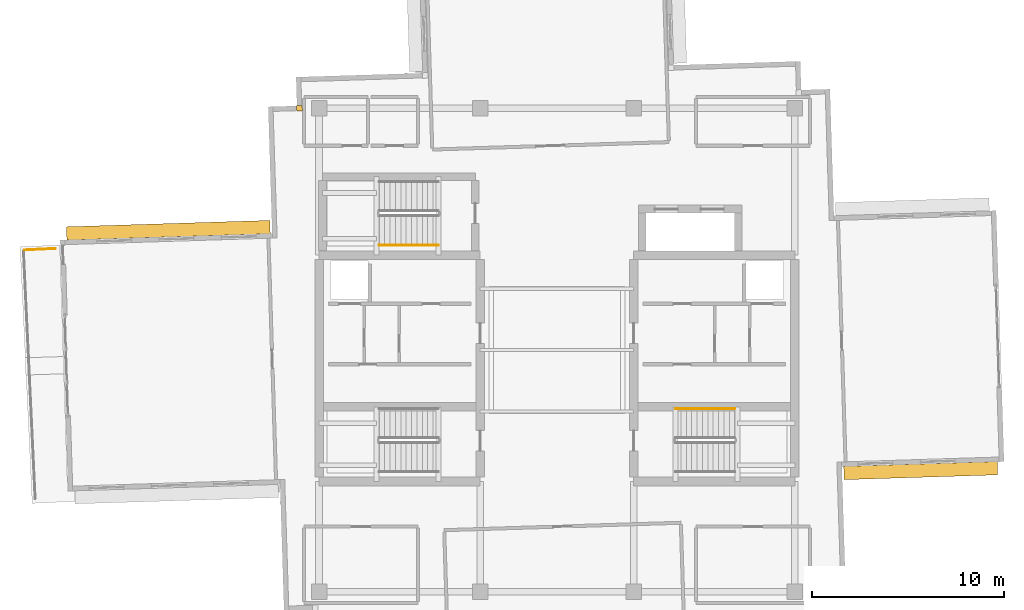
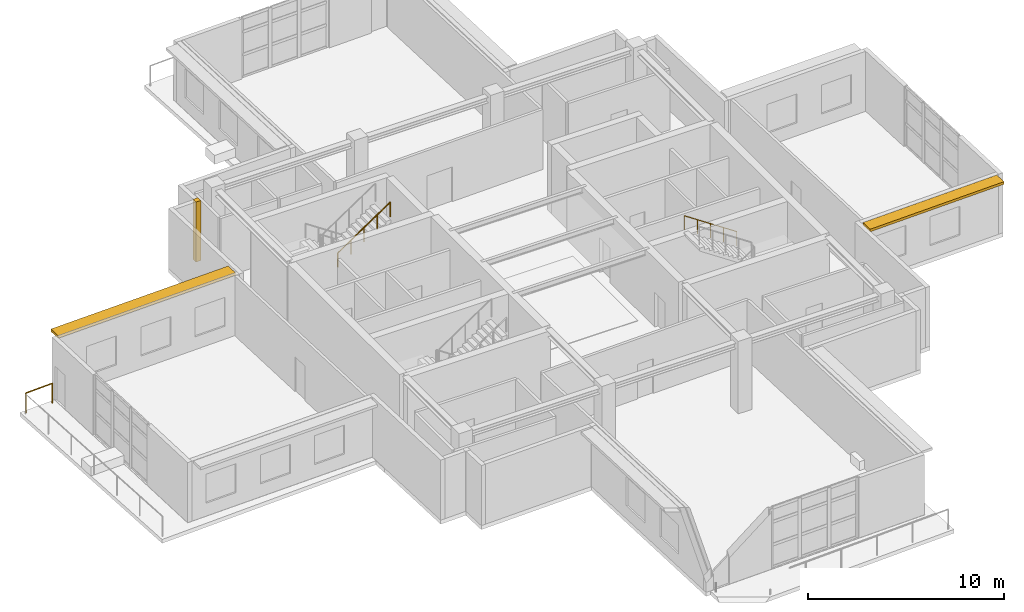
# One storey, part 16 of 18: 3 railings, 2 shading devices, 1 covering.
"""IFC4 building model written with IfcOpenShell, lengths in metres."""

from ifc_helpers import new_model, si_unit, direction, frame, origin, origin_2d, place, context, subcontext, project, spatial, rectangle, circle, extrude, material, layer, layer_set, type_object, element, save


model = new_model("IFC4")

# Units and contexts
model_context = context("Model", 3, precision=1e-05, world=origin(), true_north=direction((0.0, 1.0)))
body_context = subcontext(model_context, "Body", "Model", "MODEL_VIEW")
ifc_project = project(units=[si_unit("LENGTHUNIT", "METRE"), si_unit("AREAUNIT", "SQUARE_METRE"), si_unit("VOLUMEUNIT", "CUBIC_METRE"), si_unit("PLANEANGLEUNIT", "RADIAN"), si_unit("MASSUNIT", "GRAM", prefix="KILO")], contexts=[model_context])

# Site, building, storey
site_placement = place(None, origin())
site = spatial("IfcSite", under=ifc_project, at=site_placement, CompositionType="ELEMENT")
building_placement = place(site_placement, origin())
building = spatial("IfcBuilding", under=site, at=building_placement, Name="Qingluan Cross Belvedere", CompositionType="ELEMENT")
storey_placement = place(building_placement, frame((0.0, 0.0, 299.39990234375)))
storey = spatial("IfcBuildingStorey", under=building, at=storey_placement, Name="L74", CompositionType="ELEMENT", Elevation=299.39990234375)

# Covering
ifc_material_1 = material(Name="Precast concrete C45", Category="concrete")
ifc_layer_1 = layer(ifc_material_1, 0.1201171875, Name="ConcreteSpandrelCladding_120")
ifc_layer_set_1 = layer_set([ifc_layer_1], Name="Precast concrete C45")
covering_type = type_object("IfcCoveringType", Name="ConcreteSpandrelCladding_120", PredefinedType="CLADDING", material=ifc_layer_set_1)
covering_placement = place(storey_placement, frame((-13.422607421875, 12.6044921875, 0.0), z_axis=(0.0, 0.0, 1.0), x_axis=(0.999506560366, 0.031410759078, 0.0)))
element("IfcCovering", 1, at=covering_placement, inside=storey, type_object=covering_type, Name="Corner closure L74-NW1", PredefinedType="CLADDING", context=body_context, shape_type="SweptSolid", body=[
    extrude(rectangle(XDim=0.2900390625, YDim=0.2900390625, at=origin_2d()), origin(), (0.0, 0.0, 1.0), 3.72998046875),
])

# Shading devices
ifc_material_2 = material(Name="Precast concrete C45", Category="concrete")
ifc_layer_2 = layer(ifc_material_2, 0.139892578125, Name="ConcreteSunshadeBand_700")
ifc_layer_set_2 = layer_set([ifc_layer_2], Name="Precast concrete C45")
shading_device_type = type_object("IfcShadingDeviceType", Name="ConcreteSunshadeBand_700", PredefinedType="USERDEFINED", material=ifc_layer_set_2)
shading_device_1_placement = place(storey_placement, frame((18.956787109375, -6.28271484375, 3.55029296875), z_axis=(0.0, 0.0, 1.0), x_axis=(0.999506498947, 0.031412713388, 0.0)))
element("IfcShadingDevice", 2, at=shading_device_1_placement, inside=storey, type_object=shading_device_type, Name="Concrete SUNSHADE L74-EA", ObjectType="SUNSHADE", PredefinedType="USERDEFINED", context=body_context, shape_type="SweptSolid", body=[
    extrude(rectangle(XDim=8.010009765625, YDim=0.699951171875, at=origin_2d()), origin(), (0.0, 0.0, 1.0), 0.159912109375),
])
shading_device_2_placement = place(storey_placement, frame((-20.256103515625, 6.24169921875, 3.55029296875), z_axis=(0.0, 0.0, 1.0), x_axis=(-0.999506709567, -0.031406011072, 0.0)))
element("IfcShadingDevice", 3, at=shading_device_2_placement, inside=storey, type_object=shading_device_type, Name="Concrete SUNSHADE L74-WA", ObjectType="SUNSHADE", PredefinedType="USERDEFINED", context=body_context, shape_type="SweptSolid", body=[
    extrude(rectangle(XDim=10.610107421875, YDim=0.699951171875, at=origin_2d()), origin(), (0.0, 0.0, 1.0), 0.159912109375),
])

# Railings
ifc_material_3 = material(Name="Laminated safety glass and stainless steel balustrade", Category="steel")
railing_type_1 = type_object("IfcRailingType", Name="ObservationGuardBalustrade_1250", PredefinedType="BALUSTRADE", material=ifc_material_3)
railing_1_placement = place(storey_placement, frame((-27.741455078125, 5.214111328125, 0.0)))
element("IfcRailing", 4, at=railing_1_placement, inside=storey, type_object=railing_type_1, Name="Terrace guard L74-2", PredefinedType="BALUSTRADE", context=body_context, shape_type="SweptSolid", body=[
    extrude(circle(Radius=0.02392578125, at=origin_2d()), frame((0.0, 0.0, 1.22607421875), z_axis=(0.998894231924, 0.047013970573, 0.0), x_axis=(-0.047013970573, 0.998894231924, 0.0)), (0.0, 0.0, 1.0), 1.599365234375),
    extrude(circle(Radius=0.02099609375, at=origin_2d()), origin(), (0.0, 0.0, 1.0), 1.201904296875),
    extrude(circle(Radius=0.02099609375, at=origin_2d()), frame((1.59765625, 0.0751953125, 0.0)), (0.0, 0.0, 1.0), 1.201904296875),
])
ifc_material_4 = material(Name="Brushed stainless steel tubular handrail", Category="steel")
railing_type_2 = type_object("IfcRailingType", Name="StairPitchHandrail_900", PredefinedType="HANDRAIL", material=ifc_material_4)
railing_2_placement = place(storey_placement, frame((9.260009765625, -3.050048828125, 2.4375)))
element("IfcRailing", 5, at=railing_2_placement, inside=storey, type_object=railing_type_2, Name="L74 ST2 stair handrail 2", PredefinedType="HANDRAIL", context=body_context, shape_type="SweptSolid", body=[
    extrude(circle(Radius=0.02392578125, at=origin_2d()), frame((0.0, 0.0, 0.8759765625), z_axis=(-0.830913701846, 0.0, 0.55640131208), x_axis=(0.0, -1.0, 0.0)), (0.0, 0.0, 1.0), 3.706787109375),
    extrude(circle(Radius=0.02099609375, at=origin_2d()), origin(), (0.0, 0.0, 1.0), 0.851806640625),
    extrude(circle(Radius=0.02099609375, at=origin_2d()), frame((-0.77001953125, 0.0, 0.515625)), (0.0, 0.0, 1.0), 0.851806640625),
    extrude(circle(Radius=0.02099609375, at=origin_2d()), frame((-1.5400390625, 0.0, 1.03125)), (0.0, 0.0, 1.0), 0.851806640625),
    extrude(circle(Radius=0.02099609375, at=origin_2d()), frame((-2.31005859375, 0.0, 1.546875)), (0.0, 0.0, 1.0), 0.851806640625),
    extrude(circle(Radius=0.02099609375, at=origin_2d()), frame((-3.080078125, 0.0, 2.0625)), (0.0, 0.0, 1.0), 0.851806640625),
])
railing_3_placement = place(storey_placement, frame((-9.260009765625, 5.469970703125, 2.4375)))
element("IfcRailing", 6, at=railing_3_placement, inside=storey, type_object=railing_type_2, Name="L74 ST3 stair handrail 2", PredefinedType="HANDRAIL", context=body_context, shape_type="SweptSolid", body=[
    extrude(circle(Radius=0.02392578125, at=origin_2d()), frame((0.0, 0.0, 0.8759765625), z_axis=(0.830913701846, 0.0, 0.55640131208), x_axis=(0.0, 1.0, 0.0)), (0.0, 0.0, 1.0), 3.706787109375),
    extrude(circle(Radius=0.02099609375, at=origin_2d()), origin(), (0.0, 0.0, 1.0), 0.851806640625),
    extrude(circle(Radius=0.02099609375, at=origin_2d()), frame((0.77001953125, 0.0, 0.515625)), (0.0, 0.0, 1.0), 0.851806640625),
    extrude(circle(Radius=0.02099609375, at=origin_2d()), frame((1.5400390625, 0.0, 1.03125)), (0.0, 0.0, 1.0), 0.851806640625),
    extrude(circle(Radius=0.02099609375, at=origin_2d()), frame((2.31005859375, 0.0, 1.546875)), (0.0, 0.0, 1.0), 0.851806640625),
    extrude(circle(Radius=0.02099609375, at=origin_2d()), frame((3.080078125, 0.0, 2.0625)), (0.0, 0.0, 1.0), 0.851806640625),
])

save(model, "model.ifc")
